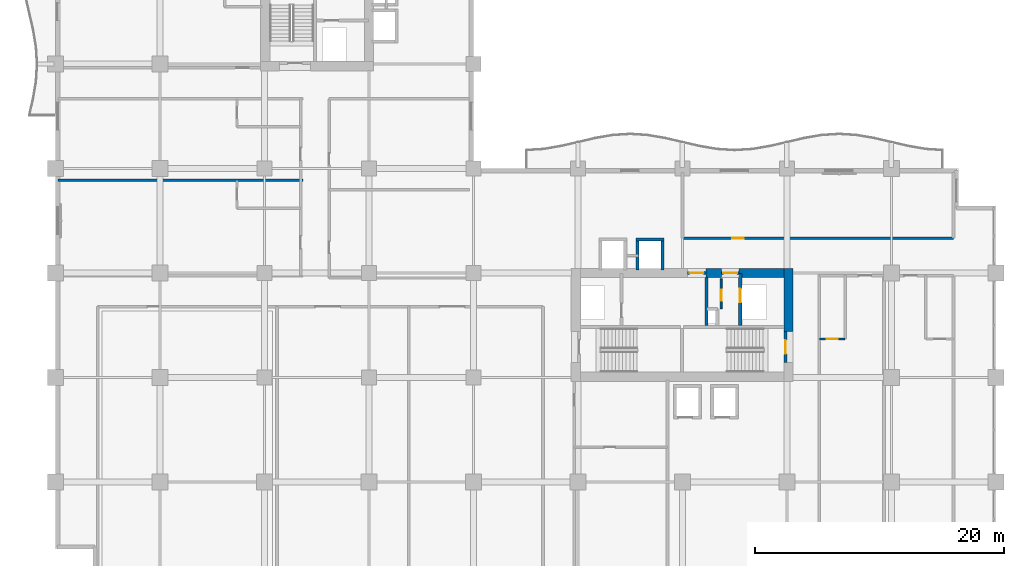
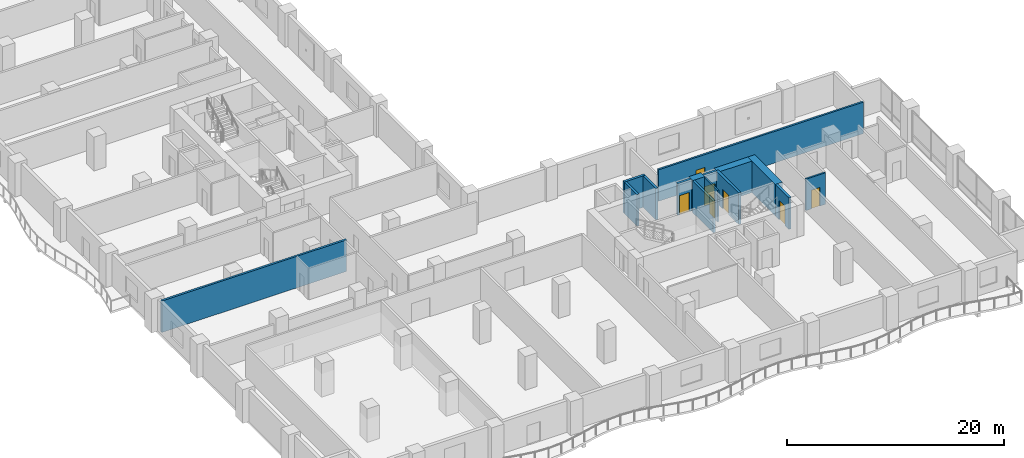
# One storey, part 10 of 24: 15 walls, 7 doors, 7 openings.
"""IFC4 building model written with IfcOpenShell, lengths in metres."""

from ifc_helpers import new_model, si_unit, direction, frame, frame_2d, origin, place, context, subcontext, project, spatial, rectangle, extrude, material, layer, layer_set, type_object, element, fill, save


model = new_model("IFC4")

# Units and contexts
model_context = context("Model", 3, precision=1e-05, world=origin(), true_north=direction((0.0, 1.0)))
body_context = subcontext(model_context, "Body", "Model", "MODEL_VIEW")
ifc_project = project(units=[si_unit("LENGTHUNIT", "METRE"), si_unit("AREAUNIT", "SQUARE_METRE"), si_unit("VOLUMEUNIT", "CUBIC_METRE"), si_unit("PLANEANGLEUNIT", "RADIAN"), si_unit("MASSUNIT", "GRAM", prefix="KILO")], contexts=[model_context])

# Site, building, storey
site_placement = place(None, origin())
site = spatial("IfcSite", under=ifc_project, at=site_placement, CompositionType="ELEMENT")
building_placement = place(site_placement, origin())
building = spatial("IfcBuilding", under=site, at=building_placement, Name="Koriwani Terraces Tower", CompositionType="ELEMENT")
storey_placement = place(building_placement, frame((0.0, 0.0, 149.39990234375)))
storey = spatial("IfcBuildingStorey", under=building, at=storey_placement, Name="L36", CompositionType="ELEMENT", Elevation=149.39990234375)

# Walls
ifc_material_1 = material(Name="Concrete C60/75", Category="concrete")
ifc_layer_1 = layer(ifc_material_1, 0.75, Name="Concrete C60/75")
ifc_layer_set_1 = layer_set([ifc_layer_1], Name="Concrete C60/75")
wall_type_1 = type_object("IfcWallType", Name="WALL_CORE_RC_750", PredefinedType="SHEAR", material=ifc_layer_set_1)
wall_1_placement = place(storey_placement, frame((58.925048828125, 20.5, 0.0), z_axis=(0.0, 0.0, 1.0), x_axis=(0.0, 1.0, 0.0)))
element("IfcWall", 1, at=wall_1_placement, inside=storey, type_object=wall_type_1, Name="L36 East Split Core Shear Wall E2", PredefinedType="SHEAR", context=body_context, shape_type="SweptSolid", body=[
    extrude(rectangle(XDim=5.074951171875, YDim=0.75, at=frame_2d((2.53759765625, 0.0))), origin(), (0.0, 0.0, 1.0), 3.550048828125),
])
wall_2_placement = place(storey_placement, frame((52.280029296875, 25.199951171875, 0.0), z_axis=(0.0, 0.0, 1.0), x_axis=(1.0, 0.0, 0.0)))
element("IfcWall", 2, at=wall_2_placement, inside=storey, type_object=wall_type_1, Name="L36 East Split Core Shear Wall N2", PredefinedType="SHEAR", context=body_context, shape_type="SweptSolid", body=[
    extrude(rectangle(XDim=1.27001953125, YDim=0.75, at=frame_2d((0.635009765625, 0.0))), origin(), (0.0, 0.0, 1.0), 3.550048828125),
])
wall_3_placement = place(storey_placement, frame((54.949951171875, 25.199951171875, 0.0), z_axis=(0.0, 0.0, 1.0), x_axis=(1.0, 0.0, 0.0)))
element("IfcWall", 3, at=wall_3_placement, inside=storey, type_object=wall_type_1, Name="L36 East Split Core Shear Wall N3", PredefinedType="SHEAR", context=body_context, shape_type="SweptSolid", body=[
    extrude(rectangle(XDim=3.60009765625, YDim=0.75, at=frame_2d((1.800048828125, 0.0))), origin(), (0.0, 0.0, 1.0), 3.550048828125),
])

# Wall, opening, door
ifc_material_2 = material(Name="Autoclaved Cellular Concrete Blockwork", Category="masonry")
ifc_layer_2 = layer(ifc_material_2, 0.199951171875, Name="Autoclaved Cellular Concrete Blockwork")
ifc_layer_set_2 = layer_set([ifc_layer_2], Name="Autoclaved Cellular Concrete Blockwork")
wall_type_2 = type_object("IfcWallType", Name="WALL_CORRIDOR_200", PredefinedType="PARTITIONING", material=ifc_layer_set_2)
wall_4_placement = place(storey_placement, frame((50.39990234375, 28.0, 0.0), z_axis=(0.0, 0.0, 1.0), x_axis=(1.0, 0.0, 0.0)))
wall_4 = element("IfcWall", 4, at=wall_4_placement, inside=storey, type_object=wall_type_2, Name="L36 Interior Wall WSEC-S-L36", PredefinedType="PARTITIONING", context=body_context, shape_type="SweptSolid", body=[
    extrude(rectangle(XDim=21.800048828125, YDim=0.199951171875, at=frame_2d((10.89990234375, 0.0))), origin(), (0.0, 0.0, 1.0), 3.550048828125),
])
opening_1_placement = place(wall_4_placement, frame((4.0, 0.0, 0.0)))
opening_1 = element("IfcOpeningElement", 5, at=opening_1_placement, cuts=wall_4, Name="Opening D-06", PredefinedType="OPENING", context=body_context, shape_type="SweptSolid", body=[
    extrude(rectangle(XDim=0.919921875, YDim=2.10009765625, at=frame_2d((0.4599609375, 1.050048828125))), frame((0.0, 0.10986328125, 0.0), z_axis=(0.0, -1.0, 0.0), x_axis=(1.0, 0.0, 0.0)), (0.0, 0.0, 1.0), 0.219970703125),
])
ifc_material_3 = material(Name="Architectural Oak Fire Door", Category="wood")
door_type_1 = type_object("IfcDoorType", Name="DOOR_ROOM_INT_920X2100", OperationType="NOTDEFINED", PredefinedType="DOOR", material=ifc_material_3)
door_1_placement = place(opening_1_placement, origin())
door_1 = element("IfcDoor", 6, at=door_1_placement, inside=storey, type_object=door_type_1, Name="L36 East Court Study Door", OperationType="SINGLE_SWING_RIGHT", OverallHeight=2.10009765625, OverallWidth=0.919921875, PredefinedType="DOOR", context=body_context, shape_type="SweptSolid", body=[
    extrude(rectangle(XDim=0.919921875, YDim=2.10009765625, at=frame_2d((0.4599609375, 1.050048828125))), frame((0.0, 0.02490234375, 0.0), z_axis=(0.0, -1.0, 0.0), x_axis=(1.0, 0.0, 0.0)), (0.0, 0.0, 1.0), 0.050048828125),
])
fill(opening_1, door_1)

# Wall
ifc_layer_3 = layer(ifc_material_2, 0.219970703125, Name="Autoclaved Cellular Concrete Blockwork")
ifc_layer_set_3 = layer_set([ifc_layer_3], Name="Autoclaved Cellular Concrete Blockwork")
wall_type_3 = type_object("IfcWallType", Name="WALL_DEMISING_220", PredefinedType="PARTITIONING", material=ifc_layer_set_3)
wall_5_placement = place(storey_placement, frame((0.199951171875, 32.64990234375, 0.0), z_axis=(0.0, 0.0, 1.0), x_axis=(1.0, 0.0, 0.0)))
element("IfcWall", 7, at=wall_5_placement, inside=storey, type_object=wall_type_3, Name="L36 Interior Wall WDEM-L36-NW-1", PredefinedType="PARTITIONING", context=body_context, shape_type="SweptSolid", body=[
    extrude(rectangle(XDim=19.679931640625, YDim=0.219970703125, at=frame_2d((9.83984375, 0.0))), origin(), (0.0, 0.0, 1.0), 3.550048828125),
])

# Wall, opening, door
ifc_material_4 = material(Name="Fire-Rated Acoustic Gypsum Partition", Category="masonry")
ifc_layer_4 = layer(ifc_material_4, 0.179931640625, Name="Fire-Rated Acoustic Gypsum Partition")
ifc_layer_set_4 = layer_set([ifc_layer_4], Name="Fire-Rated Acoustic Gypsum Partition")
wall_type_4 = type_object("IfcWallType", Name="WALL_PLUMBING_180", PredefinedType="PLUMBINGWALL", material=ifc_layer_set_4)
wall_6_placement = place(storey_placement, frame((61.39990234375, 19.89990234375, 0.0), z_axis=(0.0, 0.0, 1.0), x_axis=(1.0, 0.0, 0.0)))
wall_6 = element("IfcWall", 8, at=wall_6_placement, inside=storey, type_object=wall_type_4, Name="L36 Interior Wall WBTH1-L36-SE-0", PredefinedType="PLUMBINGWALL", context=body_context, shape_type="SweptSolid", body=[
    extrude(rectangle(XDim=2.080078125, YDim=0.179931640625, at=frame_2d((1.0400390625, 0.0))), origin(), (0.0, 0.0, 1.0), 3.550048828125),
])
opening_2_placement = place(wall_6_placement, frame((0.590087890625, 0.0, 0.0)))
opening_2 = element("IfcOpeningElement", 9, at=opening_2_placement, cuts=wall_6, Name="Opening D-07", PredefinedType="OPENING", context=body_context, shape_type="SweptSolid", body=[
    extrude(rectangle(XDim=0.89990234375, YDim=2.10009765625, at=frame_2d((0.449951171875, 1.050048828125))), frame((0.0, 0.10009765625, 0.0), z_axis=(0.0, -1.0, 0.0), x_axis=(1.0, 0.0, 0.0)), (0.0, 0.0, 1.0), 0.199951171875),
])
door_type_2 = type_object("IfcDoorType", Name="DOOR_BATH_INT_900X2100", OperationType="NOTDEFINED", PredefinedType="DOOR", material=ifc_material_3)
door_2_placement = place(opening_2_placement, origin())
door_2 = element("IfcDoor", 10, at=door_2_placement, inside=storey, type_object=door_type_2, Name="En-Suite Bathroom 36SE1 Door", OperationType="SINGLE_SWING_LEFT", OverallHeight=2.10009765625, OverallWidth=0.89990234375, PredefinedType="DOOR", context=body_context, shape_type="SweptSolid", body=[
    extrude(rectangle(XDim=0.89990234375, YDim=2.10009765625, at=frame_2d((0.449951171875, 1.050048828125))), frame((0.0, 0.02490234375, 0.0), z_axis=(0.0, -1.0, 0.0), x_axis=(1.0, 0.0, 0.0)), (0.0, 0.0, 1.0), 0.050048828125),
])
fill(opening_2, door_2)

ifc_material_5 = material(Name="Concrete C40/50", Category="concrete")
ifc_layer_5 = layer(ifc_material_5, 0.25, Name="Concrete C40/50")
ifc_layer_set_5 = layer_set([ifc_layer_5], Name="Concrete C40/50")
wall_type_5 = type_object("IfcWallType", Name="WALL_SHAFT_RATED_250", PredefinedType="SOLIDWALL", material=ifc_layer_set_5)
wall_7_placement = place(storey_placement, frame((58.675048828125, 18.0, 0.0), z_axis=(0.0, 0.0, 1.0), x_axis=(0.0, 1.0, 0.0)))
wall_7 = element("IfcWall", 11, at=wall_7_placement, inside=storey, type_object=wall_type_5, Name="L36 Interior Wall WIN-CE-L36-STE", PredefinedType="SOLIDWALL", context=body_context, shape_type="SweptSolid", body=[
    extrude(rectangle(XDim=2.5, YDim=0.25, at=frame_2d((1.25, 0.0))), origin(), (0.0, 0.0, 1.0), 3.550048828125),
])
opening_3_placement = place(wall_7_placement, frame((0.699951171875, 0.0, 0.0)))
opening_3 = element("IfcOpeningElement", 12, at=opening_3_placement, cuts=wall_7, Name="Opening D-03", PredefinedType="OPENING", context=body_context, shape_type="SweptSolid", body=[
    extrude(rectangle(XDim=1.10009765625, YDim=2.14990234375, at=frame_2d((0.550048828125, 1.074951171875))), frame((0.0, 0.135009765625, 0.0), z_axis=(0.0, -1.0, 0.0), x_axis=(1.0, 0.0, 0.0)), (0.0, 0.0, 1.0), 0.27001953125),
])
ifc_material_6 = material(Name="Steel ASTM A572 Grade 50", Category="steel")
door_type_3 = type_object("IfcDoorType", Name="DOOR_STAIR_FIRE_1100X2150", OperationType="NOTDEFINED", PredefinedType="DOOR", material=ifc_material_6)
door_3_placement = place(opening_3_placement, origin())
door_3 = element("IfcDoor", 13, at=door_3_placement, inside=storey, type_object=door_type_3, Name="L36 Exit Stair ST-E2 Door", OperationType="SINGLE_SWING_RIGHT", OverallHeight=2.14990234375, OverallWidth=1.10009765625, PredefinedType="DOOR", context=body_context, shape_type="SweptSolid", body=[
    extrude(rectangle(XDim=1.10009765625, YDim=2.14990234375, at=frame_2d((0.550048828125, 1.074951171875))), frame((0.0, 0.02490234375, 0.0), z_axis=(0.0, -1.0, 0.0), x_axis=(1.0, 0.0, 0.0)), (0.0, 0.0, 1.0), 0.050048828125),
])
fill(opening_3, door_3)

wall_8_placement = place(storey_placement, frame((50.800048828125, 25.199951171875, 0.0), z_axis=(0.0, 0.0, 1.0), x_axis=(1.0, 0.0, 0.0)))
wall_8 = element("IfcWall", 14, at=wall_8_placement, inside=storey, type_object=wall_type_5, Name="L36 Interior Wall WIN-CE-L36-NP", PredefinedType="SOLIDWALL", context=body_context, shape_type="SweptSolid", body=[
    extrude(rectangle(XDim=1.47998046875, YDim=0.25, at=frame_2d((0.739990234375, 0.0))), origin(), (0.0, 0.0, 1.0), 3.550048828125),
])
opening_4_placement = place(wall_8_placement, frame((0.179931640625, 0.0, 0.0)))
opening_4 = element("IfcOpeningElement", 15, at=opening_4_placement, cuts=wall_8, Name="Opening D-03", PredefinedType="OPENING", context=body_context, shape_type="SweptSolid", body=[
    extrude(rectangle(XDim=1.10009765625, YDim=2.14990234375, at=frame_2d((0.550048828125, 1.074951171875))), frame((0.0, 0.135009765625, 0.0), z_axis=(0.0, -1.0, 0.0), x_axis=(1.0, 0.0, 0.0)), (0.0, 0.0, 1.0), 0.27001953125),
])
door_4_placement = place(opening_4_placement, origin())
door_4 = element("IfcDoor", 16, at=door_4_placement, inside=storey, type_object=door_type_3, Name="L36 East Firefighting Lobby Door", OperationType="SINGLE_SWING_LEFT", OverallHeight=2.14990234375, OverallWidth=1.10009765625, PredefinedType="DOOR", context=body_context, shape_type="SweptSolid", body=[
    extrude(rectangle(XDim=1.10009765625, YDim=2.14990234375, at=frame_2d((0.550048828125, 1.074951171875))), frame((0.0, 0.02490234375, 0.0), z_axis=(0.0, -1.0, 0.0), x_axis=(1.0, 0.0, 0.0)), (0.0, 0.0, 1.0), 0.050048828125),
])
fill(opening_4, door_4)

# Wall
wall_9_placement = place(storey_placement, frame((52.340087890625, 21.0, 0.0), z_axis=(0.0, 0.0, 1.0), x_axis=(0.0, 1.0, 0.0)))
element("IfcWall", 17, at=wall_9_placement, inside=storey, type_object=wall_type_5, Name="L36 Interior Wall WIN-CE-L36-FFE", PredefinedType="SOLIDWALL", context=body_context, shape_type="SweptSolid", body=[
    extrude(rectangle(XDim=3.824951171875, YDim=0.25, at=frame_2d((1.91259765625, 0.0))), origin(), (0.0, 0.0, 1.0), 3.550048828125),
])

# Wall, opening, door
wall_10_placement = place(storey_placement, frame((55.050048828125, 21.0, 0.0), z_axis=(0.0, 0.0, 1.0), x_axis=(0.0, 1.0, 0.0)))
wall_10 = element("IfcWall", 18, at=wall_10_placement, inside=storey, type_object=wall_type_5, Name="L36 Interior Wall WIN-CE-L36-SE", PredefinedType="SOLIDWALL", context=body_context, shape_type="SweptSolid", body=[
    extrude(rectangle(XDim=4.14990234375, YDim=0.25, at=frame_2d((2.074951171875, 0.0))), origin(), (0.0, 0.0, 1.0), 3.550048828125),
])
opening_5_placement = place(wall_10_placement, frame((1.85009765625, 0.0, 0.0)))
opening_5 = element("IfcOpeningElement", 19, at=opening_5_placement, cuts=wall_10, Name="Opening LD-01", PredefinedType="OPENING", context=body_context, shape_type="SweptSolid", body=[
    extrude(rectangle(XDim=1.10009765625, YDim=2.14990234375, at=frame_2d((0.550048828125, 1.074951171875))), frame((0.0, 0.135009765625, 0.0), z_axis=(0.0, -1.0, 0.0), x_axis=(1.0, 0.0, 0.0)), (0.0, 0.0, 1.0), 0.27001953125),
])
door_type_4 = type_object("IfcDoorType", Name="DOOR_LIFT_LANDING_1100X2200", OperationType="NOTDEFINED", PredefinedType="DOOR", material=ifc_material_6)
door_5_placement = place(opening_5_placement, origin())
door_5 = element("IfcDoor", 20, at=door_5_placement, inside=storey, type_object=door_type_4, Name="L36 Goods Lift SE-02 Landing Door", OperationType="SLIDING_TO_LEFT", OverallHeight=2.14990234375, OverallWidth=1.10009765625, PredefinedType="DOOR", context=body_context, shape_type="SweptSolid", body=[
    extrude(rectangle(XDim=1.10009765625, YDim=2.14990234375, at=frame_2d((0.550048828125, 1.074951171875))), frame((0.0, 0.02490234375, 0.0), z_axis=(0.0, -1.0, 0.0), x_axis=(1.0, 0.0, 0.0)), (0.0, 0.0, 1.0), 0.050048828125),
])
fill(opening_5, door_5)

wall_11_placement = place(storey_placement, frame((53.550048828125, 25.199951171875, 0.0), z_axis=(0.0, 0.0, 1.0), x_axis=(1.0, 0.0, 0.0)))
wall_11 = element("IfcWall", 21, at=wall_11_placement, inside=storey, type_object=wall_type_5, Name="L36 Interior Wall WIN-CE-L36-NP2", PredefinedType="SOLIDWALL", context=body_context, shape_type="SweptSolid", body=[
    extrude(rectangle(XDim=1.39990234375, YDim=0.25, at=frame_2d((0.699951171875, 0.0))), origin(), (0.0, 0.0, 1.0), 3.550048828125),
])
opening_6_placement = place(wall_11_placement, frame((0.14990234375, 0.0, 0.0)))
opening_6 = element("IfcOpeningElement", 22, at=opening_6_placement, cuts=wall_11, Name="Opening D-03", PredefinedType="OPENING", context=body_context, shape_type="SweptSolid", body=[
    extrude(rectangle(XDim=1.10009765625, YDim=2.14990234375, at=frame_2d((0.550048828125, 1.074951171875))), frame((0.0, 0.135009765625, 0.0), z_axis=(0.0, -1.0, 0.0), x_axis=(1.0, 0.0, 0.0)), (0.0, 0.0, 1.0), 0.27001953125),
])
door_6_placement = place(opening_6_placement, origin())
door_6 = element("IfcDoor", 23, at=door_6_placement, inside=storey, type_object=door_type_3, Name="L36 East Goods Lift Lobby Door", OperationType="SINGLE_SWING_RIGHT", OverallHeight=2.14990234375, OverallWidth=1.10009765625, PredefinedType="DOOR", context=body_context, shape_type="SweptSolid", body=[
    extrude(rectangle(XDim=1.10009765625, YDim=2.14990234375, at=frame_2d((0.550048828125, 1.074951171875))), frame((0.0, 0.02490234375, 0.0), z_axis=(0.0, -1.0, 0.0), x_axis=(1.0, 0.0, 0.0)), (0.0, 0.0, 1.0), 0.050048828125),
])
fill(opening_6, door_6)

# Walls
wall_12_placement = place(storey_placement, frame((46.675048828125, 27.89990234375, 0.0), z_axis=(0.0, 0.0, 1.0), x_axis=(1.0, 0.0, 0.0)))
element("IfcWall", 24, at=wall_12_placement, inside=storey, type_object=wall_type_5, Name="L36 Interior Wall WIN-LF-PE-H4-L36-F", PredefinedType="SOLIDWALL", context=body_context, shape_type="SweptSolid", body=[
    extrude(rectangle(XDim=2.25, YDim=0.25, at=frame_2d((1.125, 0.0))), origin(), (0.0, 0.0, 1.0), 3.550048828125),
])
for number, where, z_axis, x_axis, name in (
    (25, (46.800048828125, 25.449951171875, 0.0), (0.0, 0.0, 1.0), (0.0, 1.0, 0.0), "L36 Interior Wall WIN-LF-PE-H4-L36-W"),
    (26, (48.800048828125, 25.449951171875, 0.0), (0.0, 0.0, 1.0), (0.0, 1.0, 0.0), "L36 Interior Wall WIN-LF-PE-H4-L36-E"),
):
    element("IfcWall", number, at=place(storey_placement, frame(where, z_axis=z_axis, x_axis=x_axis)), inside=storey, type_object=wall_type_5, Name=name, PredefinedType="SOLIDWALL", context=body_context, shape_type="SweptSolid", body=[
        extrude(rectangle(XDim=2.324951171875, YDim=0.25, at=frame_2d((1.16259765625, 0.0))), origin(), (0.0, 0.0, 1.0), 3.550048828125),
    ])

# Wall, opening, door
ifc_layer_6 = layer(ifc_material_4, 0.159912109375, Name="Fire-Rated Acoustic Gypsum Partition")
ifc_layer_set_6 = layer_set([ifc_layer_6], Name="Fire-Rated Acoustic Gypsum Partition")
wall_type_6 = type_object("IfcWallType", Name="WALL_SUITE_160", PredefinedType="PARTITIONING", material=ifc_layer_set_6)
wall_13_placement = place(storey_placement, frame((53.52001953125, 22.320068359375, 0.0), z_axis=(0.0, 0.0, 1.0), x_axis=(0.0, 1.0, 0.0)))
wall_13 = element("IfcWall", 27, at=wall_13_placement, inside=storey, type_object=wall_type_6, Name="L36 Interior Wall WIN-CE-L36-SV0", PredefinedType="PARTITIONING", context=body_context, shape_type="SweptSolid", body=[
    extrude(rectangle(XDim=2.39990234375, YDim=0.159912109375, at=frame_2d((1.199951171875, 0.0))), origin(), (0.0, 0.0, 1.0), 3.550048828125),
])
opening_7_placement = place(wall_13_placement, frame((0.64990234375, 0.0, 0.0)))
opening_7 = element("IfcOpeningElement", 28, at=opening_7_placement, cuts=wall_13, Name="Opening D-07", PredefinedType="OPENING", context=body_context, shape_type="SweptSolid", body=[
    extrude(rectangle(XDim=0.89990234375, YDim=2.10009765625, at=frame_2d((0.449951171875, 1.050048828125))), frame((0.0, 0.08984375, 0.0), z_axis=(0.0, -1.0, 0.0), x_axis=(1.0, 0.0, 0.0)), (0.0, 0.0, 1.0), 0.179931640625),
])
door_7_placement = place(opening_7_placement, origin())
door_7 = element("IfcDoor", 29, at=door_7_placement, inside=storey, type_object=door_type_2, Name="L36 East Electrical Switch Room Door", OperationType="SINGLE_SWING_LEFT", OverallHeight=2.10009765625, OverallWidth=0.89990234375, PredefinedType="DOOR", context=body_context, shape_type="SweptSolid", body=[
    extrude(rectangle(XDim=0.89990234375, YDim=2.10009765625, at=frame_2d((0.449951171875, 1.050048828125))), frame((0.0, 0.02490234375, 0.0), z_axis=(0.0, -1.0, 0.0), x_axis=(1.0, 0.0, 0.0)), (0.0, 0.0, 1.0), 0.050048828125),
])
fill(opening_7, door_7)

save(model, "model.ifc")
